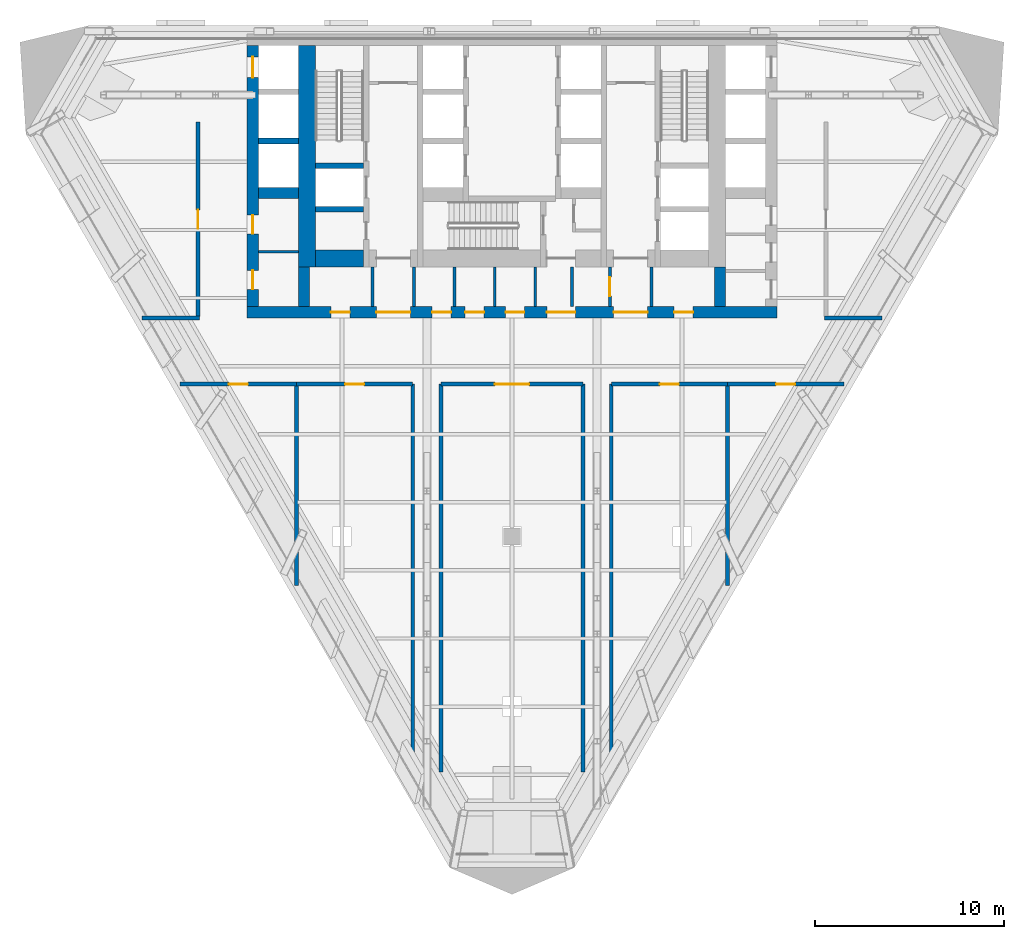
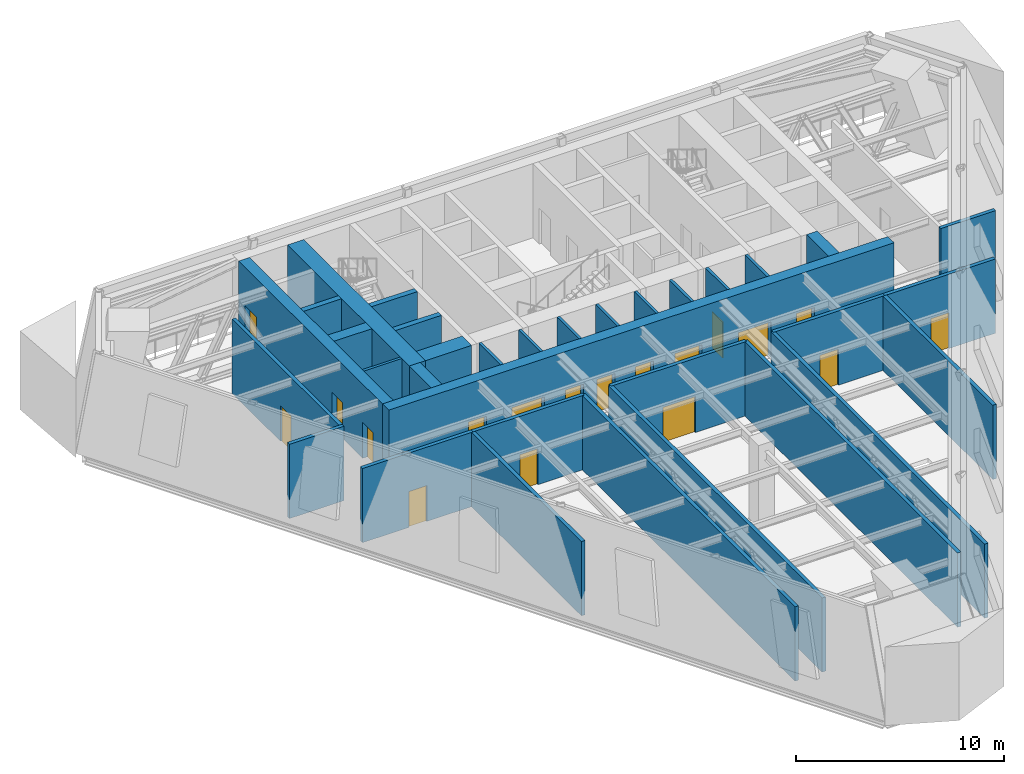
# One storey, part 3 of 9: 33 walls, 18 doors, 18 openings.
"""IFC4 building model written with IfcOpenShell, lengths in metres."""

from ifc_helpers import new_model, si_unit, direction, frame, frame_2d, origin, place, context, subcontext, project, spatial, rectangle, extrude, material, layer, layer_set, type_object, element, fill, save


model = new_model("IFC4")

# Units and contexts
model_context = context("Model", 3, precision=1e-05, world=origin(), true_north=direction((0.0, 1.0)))
body_context = subcontext(model_context, "Body", "Model", "MODEL_VIEW")
ifc_project = project(units=[si_unit("LENGTHUNIT", "METRE"), si_unit("AREAUNIT", "SQUARE_METRE"), si_unit("VOLUMEUNIT", "CUBIC_METRE"), si_unit("PLANEANGLEUNIT", "RADIAN"), si_unit("MASSUNIT", "GRAM", prefix="KILO")], contexts=[model_context])

# Site, building, storey
site_placement = place(None, origin())
site = spatial("IfcSite", under=ifc_project, at=site_placement, CompositionType="ELEMENT")
building_placement = place(site_placement, origin())
building = spatial("IfcBuilding", under=site, at=building_placement, Name="Aloe Facet Convention Tower", CompositionType="ELEMENT")
storey_placement = place(building_placement, frame((0.0, 0.0, 77.0)))
storey = spatial("IfcBuildingStorey", under=building, at=storey_placement, Name="L18", CompositionType="ELEMENT", Elevation=77.0)

# Walls
ifc_material_1 = material(Name="Concrete blockwork partition", Category="masonry")
ifc_layer_1 = layer(ifc_material_1, 0.14990234375)
ifc_layer_set_1 = layer_set([ifc_layer_1], Name="CR-W-PART150")
wall_type_1 = type_object("IfcWallType", Name="CR-W-PART150", PredefinedType="PARTITIONING", material=ifc_layer_set_1)
wall_1_placement = place(storey_placement, frame((66.60009765625, 123.048583984375, 0.0), z_axis=(0.0, 0.0, 1.0), x_axis=(1.0, 0.0, 0.0)))
element("IfcWall", 1, at=wall_1_placement, inside=storey, type_object=wall_type_1, Name="Core partition L18-007", PredefinedType="PARTITIONING", context=body_context, shape_type="SweptSolid", body=[
    extrude(rectangle(XDim=2.099853515625, YDim=0.14990234375, at=frame_2d((1.0498046875, 0.0))), origin(), (0.0, 0.0, 1.0), 4.35009765625),
])
for number, where, z_axis, x_axis, name in (
    (2, (72.625, 122.25, 0.0), (0.0, 0.0, 1.0), (0.0, -1.0, 0.0), "Core partition L18-016"),
    (3, (74.824951171875, 122.25, 0.0), (0.0, 0.0, 1.0), (0.0, -1.0, 0.0), "Core partition L18-017"),
    (4, (76.958251953125, 122.25, 0.0), (0.0, 0.0, 1.0), (0.0, -1.0, 0.0), "Core partition L18-023"),
    (5, (79.091552734375, 122.25, 0.0), (0.0, 0.0, 1.0), (0.0, -1.0, 0.0), "Core partition L18-026"),
    (6, (81.22509765625, 122.25, 0.0), (0.0, 0.0, 1.0), (0.0, -1.0, 0.0), "Core partition L18-027"),
    (7, (83.175048828125, 122.25, 0.0), (0.0, 0.0, 1.0), (0.0, -1.0, 0.0), "Core partition L18-034"),
):
    element("IfcWall", number, at=place(storey_placement, frame(where, z_axis=z_axis, x_axis=x_axis)), inside=storey, type_object=wall_type_1, Name=name, PredefinedType="PARTITIONING", context=body_context, shape_type="SweptSolid", body=[
        extrude(rectangle(XDim=2.10009765625, YDim=0.14990234375, at=frame_2d((1.050048828125, 0.0))), origin(), (0.0, 0.0, 1.0), 4.35009765625),
    ])

# Wall, opening, door
wall_2_placement = place(storey_placement, frame((85.175048828125, 122.25, 0.0), z_axis=(0.0, 0.0, 1.0), x_axis=(0.0, -1.0, 0.0)))
wall_2 = element("IfcWall", 8, at=wall_2_placement, inside=storey, type_object=wall_type_1, Name="Core partition L18-040", PredefinedType="PARTITIONING", context=body_context, shape_type="SweptSolid", body=[
    extrude(rectangle(XDim=2.10009765625, YDim=0.14990234375, at=frame_2d((1.050048828125, 0.0))), origin(), (0.0, 0.0, 1.0), 4.35009765625),
])
opening_1_placement = place(wall_2_placement, frame((0.550048828125, 0.0, 0.0)))
opening_1 = element("IfcOpeningElement", 9, at=opening_1_placement, cuts=wall_2, Name="Opening L18-CD28", PredefinedType="OPENING", context=body_context, shape_type="SweptSolid", body=[
    extrude(rectangle(XDim=1.0, YDim=2.10009765625, at=frame_2d((0.5, 1.050048828125))), frame((0.0, 0.0849609375, 0.0), z_axis=(0.0, -1.0, 0.0), x_axis=(1.0, 0.0, 0.0)), (0.0, 0.0, 1.0), 0.169921875),
])
ifc_material_2 = material(Name="Steel fire-resisting door set FD60", Category="steel")
door_type_1 = type_object("IfcDoorType", Name="CR-D-ROOM-1000-FD60-SRIGHT", OperationType="SINGLE_SWING_RIGHT", PredefinedType="DOOR", material=ifc_material_2)
door_1_placement = place(opening_1_placement, origin())
door_1 = element("IfcDoor", 10, at=door_1_placement, inside=storey, type_object=door_type_1, Name="Core door L18-CD28", OperationType="SINGLE_SWING_RIGHT", OverallHeight=2.10009765625, OverallWidth=1.0, PredefinedType="DOOR", context=body_context, shape_type="SweptSolid", body=[
    extrude(rectangle(XDim=1.0, YDim=2.10009765625, at=frame_2d((0.5, 1.050048828125))), frame((0.0, 0.02490234375, 0.0), z_axis=(0.0, -1.0, 0.0), x_axis=(1.0, 0.0, 0.0)), (0.0, 0.0, 1.0), 0.050048828125),
])
fill(opening_1, door_1)

# Walls
wall_3_placement = place(storey_placement, frame((87.375, 122.25, 0.0), z_axis=(0.0, 0.0, 1.0), x_axis=(0.0, -1.0, 0.0)))
element("IfcWall", 11, at=wall_3_placement, inside=storey, type_object=wall_type_1, Name="Core partition L18-041", PredefinedType="PARTITIONING", context=body_context, shape_type="SweptSolid", body=[
    extrude(rectangle(XDim=2.10009765625, YDim=0.14990234375, at=frame_2d((1.050048828125, 0.0))), origin(), (0.0, 0.0, 1.0), 4.35009765625),
])
ifc_material_3 = material(Name="Concrete C80/95", Category="concrete")
ifc_layer_2 = layer(ifc_material_3, 0.300048828125)
ifc_layer_set_2 = layer_set([ifc_layer_2], Name="CR-W-RC300-C8095")
wall_type_2 = type_object("IfcWallType", Name="CR-W-RC300-C8095", PredefinedType="SOLIDWALL", material=ifc_layer_set_2)
wall_4_placement = place(storey_placement, frame((66.60009765625, 128.89990234375, 0.0), z_axis=(0.0, 0.0, 1.0), x_axis=(1.0, 0.0, 0.0)))
element("IfcWall", 12, at=wall_4_placement, inside=storey, type_object=wall_type_2, Name="Core wall L18-005", PredefinedType="SOLIDWALL", context=body_context, shape_type="SweptSolid", body=[
    extrude(rectangle(XDim=2.099853515625, YDim=0.300048828125, at=frame_2d((1.0498046875, 0.0))), origin(), (0.0, 0.0, 1.0), 4.35009765625),
])
for number, where, z_axis, x_axis, name in (
    (13, (69.60009765625, 127.60009765625, 0.0), (0.0, 0.0, 1.0), (1.0, 0.0, 0.0), "Core wall L18-010"),
    (14, (69.60009765625, 125.300048828125, 0.0), (0.0, 0.0, 1.0), (1.0, 0.0, 0.0), "Core wall L18-011"),
):
    element("IfcWall", number, at=place(storey_placement, frame(where, z_axis=z_axis, x_axis=x_axis)), inside=storey, type_object=wall_type_2, Name=name, PredefinedType="SOLIDWALL", context=body_context, shape_type="SweptSolid", body=[
        extrude(rectangle(XDim=2.5498046875, YDim=0.300048828125, at=frame_2d((1.27490234375, 0.0))), origin(), (0.0, 0.0, 1.0), 4.35009765625),
    ])

# Wall, openings, doors
ifc_material_4 = material(Name="Concrete C80/95", Category="concrete")
ifc_layer_3 = layer(ifc_material_4, 0.60009765625)
ifc_layer_set_3 = layer_set([ifc_layer_3], Name="CR-W-RC600-C8095")
wall_type_3 = type_object("IfcWallType", Name="CR-W-RC600-C8095", PredefinedType="SOLIDWALL", material=ifc_layer_set_3)
wall_5_placement = place(storey_placement, frame((66.300048828125, 133.949951171875, 0.0), z_axis=(0.0, 0.0, 1.0), x_axis=(0.0, -1.0, 0.0)))
wall_5 = element("IfcWall", 15, at=wall_5_placement, inside=storey, type_object=wall_type_3, Name="Core wall L18-002", PredefinedType="SOLIDWALL", context=body_context, shape_type="SweptSolid", body=[
    extrude(rectangle(XDim=13.800048828125, YDim=0.60009765625, at=frame_2d((6.89990234375, 0.0))), origin(), (0.0, 0.0, 1.0), 4.35009765625),
])
opening_2_placement = place(wall_5_placement, frame((0.60009765625, 0.0, 0.0)))
opening_2 = element("IfcOpeningElement", 16, at=opening_2_placement, cuts=wall_5, Name="Opening LD-A7-L18", PredefinedType="OPENING", context=body_context, shape_type="SweptSolid", body=[
    extrude(rectangle(XDim=1.10009765625, YDim=2.10009765625, at=frame_2d((0.550048828125, 1.050048828125))), frame((0.0, 0.31005859375, 0.0), z_axis=(0.0, -1.0, 0.0), x_axis=(1.0, 0.0, 0.0)), (0.0, 0.0, 1.0), 0.6201171875),
])
opening_3_placement = place(wall_5_placement, frame((11.88818359375, 0.0, 0.0)))
opening_3 = element("IfcOpeningElement", 17, at=opening_3_placement, cuts=wall_5, Name="Opening L18-CD34", PredefinedType="OPENING", context=body_context, shape_type="SweptSolid", body=[
    extrude(rectangle(XDim=1.0, YDim=2.10009765625, at=frame_2d((0.5, 1.050048828125))), frame((0.0, 0.31005859375, 0.0), z_axis=(0.0, -1.0, 0.0), x_axis=(1.0, 0.0, 0.0)), (0.0, 0.0, 1.0), 0.6201171875),
])
opening_4_placement = place(wall_5_placement, frame((8.963134765625, 0.0, 0.0)))
opening_4 = element("IfcOpeningElement", 18, at=opening_4_placement, cuts=wall_5, Name="Opening L18-CD35", PredefinedType="OPENING", context=body_context, shape_type="SweptSolid", body=[
    extrude(rectangle(XDim=1.0, YDim=2.10009765625, at=frame_2d((0.5, 1.050048828125))), frame((0.0, 0.31005859375, 0.0), z_axis=(0.0, -1.0, 0.0), x_axis=(1.0, 0.0, 0.0)), (0.0, 0.0, 1.0), 0.6201171875),
])
ifc_material_5 = material(Name="Steel fire-resisting door set FD60", Category="steel")
door_type_2 = type_object("IfcDoorType", Name="CR-D-ROOM-1000-FD60-SLEFT", OperationType="SINGLE_SWING_LEFT", PredefinedType="DOOR", material=ifc_material_5)
door_2_placement = place(opening_3_placement, origin())
door_2 = element("IfcDoor", 19, at=door_2_placement, inside=storey, type_object=door_type_2, Name="Core door L18-CD34", OperationType="SINGLE_SWING_LEFT", OverallHeight=2.10009765625, OverallWidth=1.0, PredefinedType="DOOR", context=body_context, shape_type="SweptSolid", body=[
    extrude(rectangle(XDim=1.0, YDim=2.10009765625, at=frame_2d((0.5, 1.050048828125))), frame((0.0, 0.02490234375, 0.0), z_axis=(0.0, -1.0, 0.0), x_axis=(1.0, 0.0, 0.0)), (0.0, 0.0, 1.0), 0.050048828125),
])
fill(opening_3, door_2)
door_3_placement = place(opening_4_placement, origin())
door_3 = element("IfcDoor", 20, at=door_3_placement, inside=storey, type_object=door_type_2, Name="Core door L18-CD35", OperationType="SINGLE_SWING_LEFT", OverallHeight=2.10009765625, OverallWidth=1.0, PredefinedType="DOOR", context=body_context, shape_type="SweptSolid", body=[
    extrude(rectangle(XDim=1.0, YDim=2.10009765625, at=frame_2d((0.5, 1.050048828125))), frame((0.0, 0.02490234375, 0.0), z_axis=(0.0, -1.0, 0.0), x_axis=(1.0, 0.0, 0.0)), (0.0, 0.0, 1.0), 0.050048828125),
])
fill(opening_4, door_3)
ifc_material_6 = material(Name="Stainless steel sliding landing door", Category="steel")
door_type_3 = type_object("IfcDoorType", Name="CR-LD-1100-FD60-_LEFT", OperationType="SLIDING_TO_LEFT", PredefinedType="DOOR", material=ifc_material_6)
door_4_placement = place(opening_2_placement, origin())
door_4 = element("IfcDoor", 21, at=door_4_placement, inside=storey, type_object=door_type_3, Name="Landing door A7 L18", OperationType="SLIDING_TO_LEFT", OverallHeight=2.10009765625, OverallWidth=1.10009765625, PredefinedType="DOOR", context=body_context, shape_type="SweptSolid", body=[
    extrude(rectangle(XDim=1.10009765625, YDim=2.10009765625, at=frame_2d((0.550048828125, 1.050048828125))), frame((0.0, 0.02490234375, 0.0), z_axis=(0.0, -1.0, 0.0), x_axis=(1.0, 0.0, 0.0)), (0.0, 0.0, 1.0), 0.050048828125),
])
fill(opening_2, door_4)

wall_6_placement = place(storey_placement, frame((66.0, 119.85009765625, 0.0), z_axis=(0.0, 0.0, 1.0), x_axis=(1.0, 0.0, 0.0)))
wall_6 = element("IfcWall", 22, at=wall_6_placement, inside=storey, type_object=wall_type_3, Name="Core wall L18-003", PredefinedType="SOLIDWALL", context=body_context, shape_type="SweptSolid", body=[
    extrude(rectangle(XDim=28.0, YDim=0.60009765625, at=frame_2d((14.0, 0.0))), origin(), (0.0, 0.0, 1.0), 4.35009765625),
])
opening_5_placement = place(wall_6_placement, frame((6.824951171875, 0.0, 0.0)))
opening_5 = element("IfcOpeningElement", 23, at=opening_5_placement, cuts=wall_6, Name="Opening L18-CD17", PredefinedType="OPENING", context=body_context, shape_type="SweptSolid", body=[
    extrude(rectangle(XDim=1.800048828125, YDim=2.10009765625, at=frame_2d((0.89990234375, 1.050048828125))), frame((0.0, 0.31005859375, 0.0), z_axis=(0.0, -1.0, 0.0), x_axis=(1.0, 0.0, 0.0)), (0.0, 0.0, 1.0), 0.6201171875),
])
opening_6_placement = place(wall_6_placement, frame((15.85009765625, 0.0, 0.0)))
opening_6 = element("IfcOpeningElement", 24, at=opening_6_placement, cuts=wall_6, Name="Opening L18-CD18", PredefinedType="OPENING", context=body_context, shape_type="SweptSolid", body=[
    extrude(rectangle(XDim=1.5, YDim=2.10009765625, at=frame_2d((0.75, 1.050048828125))), frame((0.0, 0.31005859375, 0.0), z_axis=(0.0, -1.0, 0.0), x_axis=(1.0, 0.0, 0.0)), (0.0, 0.0, 1.0), 0.6201171875),
])
opening_7_placement = place(wall_6_placement, frame((19.375, 0.0, 0.0)))
opening_7 = element("IfcOpeningElement", 25, at=opening_7_placement, cuts=wall_6, Name="Opening L18-CD19", PredefinedType="OPENING", context=body_context, shape_type="SweptSolid", body=[
    extrude(rectangle(XDim=1.800048828125, YDim=2.10009765625, at=frame_2d((0.89990234375, 1.050048828125))), frame((0.0, 0.31005859375, 0.0), z_axis=(0.0, -1.0, 0.0), x_axis=(1.0, 0.0, 0.0)), (0.0, 0.0, 1.0), 0.6201171875),
])
opening_8_placement = place(wall_6_placement, frame((4.425048828125, 0.0, 0.0)))
opening_8 = element("IfcOpeningElement", 26, at=opening_8_placement, cuts=wall_6, Name="Opening L18-CD24", PredefinedType="OPENING", context=body_context, shape_type="SweptSolid", body=[
    extrude(rectangle(XDim=1.0, YDim=2.10009765625, at=frame_2d((0.5, 1.050048828125))), frame((0.0, 0.31005859375, 0.0), z_axis=(0.0, -1.0, 0.0), x_axis=(1.0, 0.0, 0.0)), (0.0, 0.0, 1.0), 0.6201171875),
])
opening_9_placement = place(wall_6_placement, frame((9.783203125, 0.0, 0.0)))
opening_9 = element("IfcOpeningElement", 27, at=opening_9_placement, cuts=wall_6, Name="Opening L18-CD25", PredefinedType="OPENING", context=body_context, shape_type="SweptSolid", body=[
    extrude(rectangle(XDim=1.0, YDim=2.10009765625, at=frame_2d((0.5, 1.050048828125))), frame((0.0, 0.31005859375, 0.0), z_axis=(0.0, -1.0, 0.0), x_axis=(1.0, 0.0, 0.0)), (0.0, 0.0, 1.0), 0.6201171875),
])
opening_10_placement = place(wall_6_placement, frame((11.52490234375, 0.0, 0.0)))
opening_10 = element("IfcOpeningElement", 28, at=opening_10_placement, cuts=wall_6, Name="Opening L18-CD26", PredefinedType="OPENING", context=body_context, shape_type="SweptSolid", body=[
    extrude(rectangle(XDim=1.0, YDim=2.10009765625, at=frame_2d((0.5, 1.050048828125))), frame((0.0, 0.31005859375, 0.0), z_axis=(0.0, -1.0, 0.0), x_axis=(1.0, 0.0, 0.0)), (0.0, 0.0, 1.0), 0.6201171875),
])
opening_11_placement = place(wall_6_placement, frame((13.658203125, 0.0, 0.0)))
opening_11 = element("IfcOpeningElement", 29, at=opening_11_placement, cuts=wall_6, Name="Opening L18-CD27", PredefinedType="OPENING", context=body_context, shape_type="SweptSolid", body=[
    extrude(rectangle(XDim=1.0, YDim=2.10009765625, at=frame_2d((0.5, 1.050048828125))), frame((0.0, 0.31005859375, 0.0), z_axis=(0.0, -1.0, 0.0), x_axis=(1.0, 0.0, 0.0)), (0.0, 0.0, 1.0), 0.6201171875),
])
opening_12_placement = place(wall_6_placement, frame((22.574951171875, 0.0, 0.0)))
opening_12 = element("IfcOpeningElement", 30, at=opening_12_placement, cuts=wall_6, Name="Opening L18-CD29", PredefinedType="OPENING", context=body_context, shape_type="SweptSolid", body=[
    extrude(rectangle(XDim=1.0, YDim=2.10009765625, at=frame_2d((0.5, 1.050048828125))), frame((0.0, 0.31005859375, 0.0), z_axis=(0.0, -1.0, 0.0), x_axis=(1.0, 0.0, 0.0)), (0.0, 0.0, 1.0), 0.6201171875),
])
ifc_material_7 = material(Name="Steel fire-resisting door set FD60", Category="steel")
door_type_4 = type_object("IfcDoorType", Name="CR-D-EXIT-1500-FD60-DD", OperationType="DOUBLE_DOOR_DOUBLE_SWING", PredefinedType="DOOR", material=ifc_material_7)
door_5_placement = place(opening_6_placement, origin())
door_5 = element("IfcDoor", 31, at=door_5_placement, inside=storey, type_object=door_type_4, Name="Core door L18-CD18", OperationType="DOUBLE_DOOR_DOUBLE_SWING", OverallHeight=2.10009765625, OverallWidth=1.5, PredefinedType="DOOR", context=body_context, shape_type="SweptSolid", body=[
    extrude(rectangle(XDim=1.5, YDim=2.10009765625, at=frame_2d((0.75, 1.050048828125))), frame((0.0, 0.02490234375, 0.0), z_axis=(0.0, -1.0, 0.0), x_axis=(1.0, 0.0, 0.0)), (0.0, 0.0, 1.0), 0.050048828125),
])
fill(opening_6, door_5)
ifc_material_8 = material(Name="Steel fire-resisting door set FD60", Category="steel")
door_type_5 = type_object("IfcDoorType", Name="CR-D-EXIT-1800-FD60-DD", OperationType="DOUBLE_DOOR_DOUBLE_SWING", PredefinedType="DOOR", material=ifc_material_8)
door_6_placement = place(opening_5_placement, origin())
door_6 = element("IfcDoor", 32, at=door_6_placement, inside=storey, type_object=door_type_5, Name="Core door L18-CD17", OperationType="DOUBLE_DOOR_DOUBLE_SWING", OverallHeight=2.10009765625, OverallWidth=1.800048828125, PredefinedType="DOOR", context=body_context, shape_type="SweptSolid", body=[
    extrude(rectangle(XDim=1.800048828125, YDim=2.10009765625, at=frame_2d((0.89990234375, 1.050048828125))), frame((0.0, 0.02490234375, 0.0), z_axis=(0.0, -1.0, 0.0), x_axis=(1.0, 0.0, 0.0)), (0.0, 0.0, 1.0), 0.050048828125),
])
fill(opening_5, door_6)
door_7_placement = place(opening_7_placement, origin())
door_7 = element("IfcDoor", 33, at=door_7_placement, inside=storey, type_object=door_type_5, Name="Core door L18-CD19", OperationType="DOUBLE_DOOR_DOUBLE_SWING", OverallHeight=2.10009765625, OverallWidth=1.800048828125, PredefinedType="DOOR", context=body_context, shape_type="SweptSolid", body=[
    extrude(rectangle(XDim=1.800048828125, YDim=2.10009765625, at=frame_2d((0.89990234375, 1.050048828125))), frame((0.0, 0.02490234375, 0.0), z_axis=(0.0, -1.0, 0.0), x_axis=(1.0, 0.0, 0.0)), (0.0, 0.0, 1.0), 0.050048828125),
])
fill(opening_7, door_7)
door_8_placement = place(opening_8_placement, origin())
door_8 = element("IfcDoor", 34, at=door_8_placement, inside=storey, type_object=door_type_1, Name="Core door L18-CD24", OperationType="SINGLE_SWING_RIGHT", OverallHeight=2.10009765625, OverallWidth=1.0, PredefinedType="DOOR", context=body_context, shape_type="SweptSolid", body=[
    extrude(rectangle(XDim=1.0, YDim=2.10009765625, at=frame_2d((0.5, 1.050048828125))), frame((0.0, 0.02490234375, 0.0), z_axis=(0.0, -1.0, 0.0), x_axis=(1.0, 0.0, 0.0)), (0.0, 0.0, 1.0), 0.050048828125),
])
fill(opening_8, door_8)
door_9_placement = place(opening_9_placement, origin())
door_9 = element("IfcDoor", 35, at=door_9_placement, inside=storey, type_object=door_type_1, Name="Core door L18-CD25", OperationType="SINGLE_SWING_RIGHT", OverallHeight=2.10009765625, OverallWidth=1.0, PredefinedType="DOOR", context=body_context, shape_type="SweptSolid", body=[
    extrude(rectangle(XDim=1.0, YDim=2.10009765625, at=frame_2d((0.5, 1.050048828125))), frame((0.0, 0.02490234375, 0.0), z_axis=(0.0, -1.0, 0.0), x_axis=(1.0, 0.0, 0.0)), (0.0, 0.0, 1.0), 0.050048828125),
])
fill(opening_9, door_9)
door_10_placement = place(opening_10_placement, origin())
door_10 = element("IfcDoor", 36, at=door_10_placement, inside=storey, type_object=door_type_1, Name="Core door L18-CD26", OperationType="SINGLE_SWING_RIGHT", OverallHeight=2.10009765625, OverallWidth=1.0, PredefinedType="DOOR", context=body_context, shape_type="SweptSolid", body=[
    extrude(rectangle(XDim=1.0, YDim=2.10009765625, at=frame_2d((0.5, 1.050048828125))), frame((0.0, 0.02490234375, 0.0), z_axis=(0.0, -1.0, 0.0), x_axis=(1.0, 0.0, 0.0)), (0.0, 0.0, 1.0), 0.050048828125),
])
fill(opening_10, door_10)
door_11_placement = place(opening_11_placement, origin())
door_11 = element("IfcDoor", 37, at=door_11_placement, inside=storey, type_object=door_type_1, Name="Core door L18-CD27", OperationType="SINGLE_SWING_RIGHT", OverallHeight=2.10009765625, OverallWidth=1.0, PredefinedType="DOOR", context=body_context, shape_type="SweptSolid", body=[
    extrude(rectangle(XDim=1.0, YDim=2.10009765625, at=frame_2d((0.5, 1.050048828125))), frame((0.0, 0.02490234375, 0.0), z_axis=(0.0, -1.0, 0.0), x_axis=(1.0, 0.0, 0.0)), (0.0, 0.0, 1.0), 0.050048828125),
])
fill(opening_11, door_11)
door_12_placement = place(opening_12_placement, origin())
door_12 = element("IfcDoor", 38, at=door_12_placement, inside=storey, type_object=door_type_1, Name="Core door L18-CD29", OperationType="SINGLE_SWING_RIGHT", OverallHeight=2.10009765625, OverallWidth=1.0, PredefinedType="DOOR", context=body_context, shape_type="SweptSolid", body=[
    extrude(rectangle(XDim=1.0, YDim=2.10009765625, at=frame_2d((0.5, 1.050048828125))), frame((0.0, 0.02490234375, 0.0), z_axis=(0.0, -1.0, 0.0), x_axis=(1.0, 0.0, 0.0)), (0.0, 0.0, 1.0), 0.050048828125),
])
fill(opening_12, door_12)

# Walls
wall_7_placement = place(storey_placement, frame((66.60009765625, 126.14990234375, 0.0), z_axis=(0.0, 0.0, 1.0), x_axis=(1.0, 0.0, 0.0)))
element("IfcWall", 39, at=wall_7_placement, inside=storey, type_object=wall_type_3, Name="Core wall L18-006", PredefinedType="SOLIDWALL", context=body_context, shape_type="SweptSolid", body=[
    extrude(rectangle(XDim=2.099853515625, YDim=0.60009765625, at=frame_2d((1.0498046875, 0.0))), origin(), (0.0, 0.0, 1.0), 4.35009765625),
])
for number, where, z_axis, x_axis, name in (
    (40, (69.0, 122.25, 0.0), (0.0, 0.0, 1.0), (0.0, -1.0, 0.0), "Core wall L18-009"),
    (41, (91.0, 122.25, 0.0), (0.0, 0.0, 1.0), (0.0, -1.0, 0.0), "Core wall L18-047"),
):
    element("IfcWall", number, at=place(storey_placement, frame(where, z_axis=z_axis, x_axis=x_axis)), inside=storey, type_object=wall_type_3, Name=name, PredefinedType="SOLIDWALL", context=body_context, shape_type="SweptSolid", body=[
        extrude(rectangle(XDim=2.10009765625, YDim=0.60009765625, at=frame_2d((1.050048828125, 0.0))), origin(), (0.0, 0.0, 1.0), 4.35009765625),
    ])
ifc_material_9 = material(Name="Concrete C80/95", Category="concrete")
ifc_layer_4 = layer(ifc_material_9, 0.89990234375)
ifc_layer_set_4 = layer_set([ifc_layer_4], Name="CR-W-RC900-C8095")
wall_type_4 = type_object("IfcWallType", Name="CR-W-RC900-C8095", PredefinedType="SOLIDWALL", material=ifc_layer_set_4)
wall_8_placement = place(storey_placement, frame((69.14990234375, 133.949951171875, 0.0), z_axis=(0.0, 0.0, 1.0), x_axis=(0.0, -1.0, 0.0)))
element("IfcWall", 42, at=wall_8_placement, inside=storey, type_object=wall_type_4, Name="Core wall L18-008", PredefinedType="SOLIDWALL", context=body_context, shape_type="SweptSolid", body=[
    extrude(rectangle(XDim=11.699951171875, YDim=0.89990234375, at=frame_2d((5.85009765625, 0.0))), origin(), (0.0, 0.0, 1.0), 4.35009765625),
])
wall_9_placement = place(storey_placement, frame((69.60009765625, 122.699951171875, 0.0), z_axis=(0.0, 0.0, 1.0), x_axis=(1.0, 0.0, 0.0)))
element("IfcWall", 43, at=wall_9_placement, inside=storey, type_object=wall_type_4, Name="Core wall L18-012", PredefinedType="SOLIDWALL", context=body_context, shape_type="SweptSolid", body=[
    extrude(rectangle(XDim=2.5498046875, YDim=0.89990234375, at=frame_2d((1.27490234375, 0.0))), origin(), (0.0, 0.0, 1.0), 4.35009765625),
])
ifc_material_10 = material(Name="Masonry blockwork wall, plastered", Category="masonry")
ifc_layer_5 = layer(ifc_material_10, 0.199951171875)
ifc_layer_set_5 = layer_set([ifc_layer_5], Name="IN-POD-W-PLANT")
wall_type_5 = type_object("IfcWallType", Name="IN-POD-W-PLANT", PredefinedType="PARTITIONING", material=ifc_layer_set_5)
for number, where, z_axis, x_axis, name in (
    (44, (68.605224609375, 105.406982421875, 0.0), (0.0, 0.0, 1.0), (0.0, 1.0, 0.0), "Partition L18-W001"),
    (45, (91.394775390625, 105.406982421875, 0.0), (0.0, 0.0, 1.0), (0.0, 1.0, 0.0), "Partition L18-W002"),
):
    element("IfcWall", number, at=place(storey_placement, frame(where, z_axis=z_axis, x_axis=x_axis)), inside=storey, type_object=wall_type_5, Name=name, PredefinedType="PARTITIONING", context=body_context, shape_type="SweptSolid", body=[
        extrude(rectangle(XDim=10.55810546875, YDim=0.199951171875, at=frame_2d((5.279052734375, 0.0))), origin(), (0.0, 0.0, 1.0), 4.35009765625),
    ])

# Wall, opening, door
wall_10_placement = place(storey_placement, frame((62.46044921875, 116.050048828125, 0.0), z_axis=(0.0, 0.0, 1.0), x_axis=(1.0, 0.0, 0.0)))
wall_10 = element("IfcWall", 46, at=wall_10_placement, inside=storey, type_object=wall_type_5, Name="Partition L18-W003", PredefinedType="PARTITIONING", context=body_context, shape_type="SweptSolid", body=[
    extrude(rectangle(XDim=6.144775390625, YDim=0.199951171875, at=frame_2d((3.072265625, 0.0))), origin(), (0.0, 0.0, 1.0), 4.35009765625),
])
opening_13_placement = place(wall_10_placement, frame((2.572509765625, 0.0, 0.0)))
opening_13 = element("IfcOpeningElement", 47, at=opening_13_placement, cuts=wall_10, Name="Opening L18-003", PredefinedType="OPENING", context=body_context, shape_type="SweptSolid", body=[
    extrude(rectangle(XDim=1.0, YDim=2.10009765625, at=frame_2d((0.5, 1.050048828125))), frame((0.0, 0.10986328125, 0.0), z_axis=(0.0, -1.0, 0.0), x_axis=(1.0, 0.0, 0.0)), (0.0, 0.0, 1.0), 0.219970703125),
])
ifc_material_11 = material(Name="Steel flush door, galvanised", Category="steel")
door_type_6 = type_object("IfcDoorType", Name="IN-POD-D-PLANT", OperationType="SINGLE_SWING_LEFT", PredefinedType="DOOR", material=ifc_material_11)
door_13_placement = place(opening_13_placement, origin())
door_13 = element("IfcDoor", 48, at=door_13_placement, inside=storey, type_object=door_type_6, Name="Door L18-003", OperationType="SINGLE_SWING_LEFT", OverallHeight=2.10009765625, OverallWidth=1.0, PredefinedType="DOOR", context=body_context, shape_type="SweptSolid", body=[
    extrude(rectangle(XDim=1.0, YDim=2.10009765625, at=frame_2d((0.5, 1.050048828125))), frame((0.0, 0.02490234375, 0.0), z_axis=(0.0, -1.0, 0.0), x_axis=(1.0, 0.0, 0.0)), (0.0, 0.0, 1.0), 0.050048828125),
])
fill(opening_13, door_13)

wall_11_placement = place(storey_placement, frame((68.605224609375, 116.050048828125, 0.0), z_axis=(0.0, 0.0, 1.0), x_axis=(1.0, 0.0, 0.0)))
wall_11 = element("IfcWall", 49, at=wall_11_placement, inside=storey, type_object=wall_type_5, Name="Partition L18-W004", PredefinedType="PARTITIONING", context=body_context, shape_type="SweptSolid", body=[
    extrude(rectangle(XDim=6.144775390625, YDim=0.199951171875, at=frame_2d((3.072265625, 0.0))), origin(), (0.0, 0.0, 1.0), 4.35009765625),
])
opening_14_placement = place(wall_11_placement, frame((2.572509765625, 0.0, 0.0)))
opening_14 = element("IfcOpeningElement", 50, at=opening_14_placement, cuts=wall_11, Name="Opening L18-004", PredefinedType="OPENING", context=body_context, shape_type="SweptSolid", body=[
    extrude(rectangle(XDim=1.0, YDim=2.10009765625, at=frame_2d((0.5, 1.050048828125))), frame((0.0, 0.10986328125, 0.0), z_axis=(0.0, -1.0, 0.0), x_axis=(1.0, 0.0, 0.0)), (0.0, 0.0, 1.0), 0.219970703125),
])
door_14_placement = place(opening_14_placement, origin())
door_14 = element("IfcDoor", 51, at=door_14_placement, inside=storey, type_object=door_type_6, Name="Door L18-004", OperationType="SINGLE_SWING_LEFT", OverallHeight=2.10009765625, OverallWidth=1.0, PredefinedType="DOOR", context=body_context, shape_type="SweptSolid", body=[
    extrude(rectangle(XDim=1.0, YDim=2.10009765625, at=frame_2d((0.5, 1.050048828125))), frame((0.0, 0.02490234375, 0.0), z_axis=(0.0, -1.0, 0.0), x_axis=(1.0, 0.0, 0.0)), (0.0, 0.0, 1.0), 0.050048828125),
])
fill(opening_14, door_14)

wall_12_placement = place(storey_placement, frame((76.25, 116.050048828125, 0.0), z_axis=(0.0, 0.0, 1.0), x_axis=(1.0, 0.0, 0.0)))
wall_12 = element("IfcWall", 52, at=wall_12_placement, inside=storey, type_object=wall_type_5, Name="Partition L18-W005", PredefinedType="PARTITIONING", context=body_context, shape_type="SweptSolid", body=[
    extrude(rectangle(XDim=7.5, YDim=0.199951171875, at=frame_2d((3.75, 0.0))), origin(), (0.0, 0.0, 1.0), 4.35009765625),
])
opening_15_placement = place(wall_12_placement, frame((2.85009765625, 0.0, 0.0)))
opening_15 = element("IfcOpeningElement", 53, at=opening_15_placement, cuts=wall_12, Name="Opening L18-005", PredefinedType="OPENING", context=body_context, shape_type="SweptSolid", body=[
    extrude(rectangle(XDim=1.800048828125, YDim=2.10009765625, at=frame_2d((0.89990234375, 1.050048828125))), frame((0.0, 0.10986328125, 0.0), z_axis=(0.0, -1.0, 0.0), x_axis=(1.0, 0.0, 0.0)), (0.0, 0.0, 1.0), 0.219970703125),
])
ifc_material_12 = material(Name="Steel flush door pair, galvanised", Category="steel")
door_type_7 = type_object("IfcDoorType", Name="IN-POD-D-PLANTPAIR", OperationType="DOUBLE_DOOR_SINGLE_SWING", PredefinedType="DOOR", material=ifc_material_12)
door_15_placement = place(opening_15_placement, origin())
door_15 = element("IfcDoor", 54, at=door_15_placement, inside=storey, type_object=door_type_7, Name="Door L18-005", OperationType="SINGLE_SWING_LEFT", OverallHeight=2.10009765625, OverallWidth=1.800048828125, PredefinedType="DOOR", context=body_context, shape_type="SweptSolid", body=[
    extrude(rectangle(XDim=1.800048828125, YDim=2.10009765625, at=frame_2d((0.89990234375, 1.050048828125))), frame((0.0, 0.02490234375, 0.0), z_axis=(0.0, -1.0, 0.0), x_axis=(1.0, 0.0, 0.0)), (0.0, 0.0, 1.0), 0.050048828125),
])
fill(opening_15, door_15)

wall_13_placement = place(storey_placement, frame((85.25, 116.050048828125, 0.0), z_axis=(0.0, 0.0, 1.0), x_axis=(1.0, 0.0, 0.0)))
wall_13 = element("IfcWall", 55, at=wall_13_placement, inside=storey, type_object=wall_type_5, Name="Partition L18-W006", PredefinedType="PARTITIONING", context=body_context, shape_type="SweptSolid", body=[
    extrude(rectangle(XDim=6.144775390625, YDim=0.199951171875, at=frame_2d((3.072265625, 0.0))), origin(), (0.0, 0.0, 1.0), 4.35009765625),
])
opening_16_placement = place(wall_13_placement, frame((2.572509765625, 0.0, 0.0)))
opening_16 = element("IfcOpeningElement", 56, at=opening_16_placement, cuts=wall_13, Name="Opening L18-006", PredefinedType="OPENING", context=body_context, shape_type="SweptSolid", body=[
    extrude(rectangle(XDim=1.0, YDim=2.10009765625, at=frame_2d((0.5, 1.050048828125))), frame((0.0, 0.10986328125, 0.0), z_axis=(0.0, -1.0, 0.0), x_axis=(1.0, 0.0, 0.0)), (0.0, 0.0, 1.0), 0.219970703125),
])
door_16_placement = place(opening_16_placement, origin())
door_16 = element("IfcDoor", 57, at=door_16_placement, inside=storey, type_object=door_type_6, Name="Door L18-006", OperationType="SINGLE_SWING_LEFT", OverallHeight=2.10009765625, OverallWidth=1.0, PredefinedType="DOOR", context=body_context, shape_type="SweptSolid", body=[
    extrude(rectangle(XDim=1.0, YDim=2.10009765625, at=frame_2d((0.5, 1.050048828125))), frame((0.0, 0.02490234375, 0.0), z_axis=(0.0, -1.0, 0.0), x_axis=(1.0, 0.0, 0.0)), (0.0, 0.0, 1.0), 0.050048828125),
])
fill(opening_16, door_16)

wall_14_placement = place(storey_placement, frame((91.394775390625, 116.050048828125, 0.0), z_axis=(0.0, 0.0, 1.0), x_axis=(1.0, 0.0, 0.0)))
wall_14 = element("IfcWall", 58, at=wall_14_placement, inside=storey, type_object=wall_type_5, Name="Partition L18-W007", PredefinedType="PARTITIONING", context=body_context, shape_type="SweptSolid", body=[
    extrude(rectangle(XDim=6.144775390625, YDim=0.199951171875, at=frame_2d((3.072265625, 0.0))), origin(), (0.0, 0.0, 1.0), 4.35009765625),
])
opening_17_placement = place(wall_14_placement, frame((2.572509765625, 0.0, 0.0)))
opening_17 = element("IfcOpeningElement", 59, at=opening_17_placement, cuts=wall_14, Name="Opening L18-007", PredefinedType="OPENING", context=body_context, shape_type="SweptSolid", body=[
    extrude(rectangle(XDim=1.0, YDim=2.10009765625, at=frame_2d((0.5, 1.050048828125))), frame((0.0, 0.10986328125, 0.0), z_axis=(0.0, -1.0, 0.0), x_axis=(1.0, 0.0, 0.0)), (0.0, 0.0, 1.0), 0.219970703125),
])
door_17_placement = place(opening_17_placement, origin())
door_17 = element("IfcDoor", 60, at=door_17_placement, inside=storey, type_object=door_type_6, Name="Door L18-007", OperationType="SINGLE_SWING_LEFT", OverallHeight=2.10009765625, OverallWidth=1.0, PredefinedType="DOOR", context=body_context, shape_type="SweptSolid", body=[
    extrude(rectangle(XDim=1.0, YDim=2.10009765625, at=frame_2d((0.5, 1.050048828125))), frame((0.0, 0.02490234375, 0.0), z_axis=(0.0, -1.0, 0.0), x_axis=(1.0, 0.0, 0.0)), (0.0, 0.0, 1.0), 0.050048828125),
])
fill(opening_17, door_17)

# Wall
wall_15_placement = place(storey_placement, frame((60.439697265625, 119.550048828125, 0.0), z_axis=(0.0, 0.0, 1.0), x_axis=(1.0, 0.0, 0.0)))
element("IfcWall", 61, at=wall_15_placement, inside=storey, type_object=wall_type_5, Name="Partition L18-W008", PredefinedType="PARTITIONING", context=body_context, shape_type="SweptSolid", body=[
    extrude(rectangle(XDim=3.035400390625, YDim=0.199951171875, at=frame_2d((1.517578125, 0.0))), origin(), (0.0, 0.0, 1.0), 4.35009765625),
])

# Wall, opening, door
wall_16_placement = place(storey_placement, frame((63.39990234375, 119.635009765625, 0.0), z_axis=(0.0, 0.0, 1.0), x_axis=(0.0, 1.0, 0.0)))
wall_16 = element("IfcWall", 62, at=wall_16_placement, inside=storey, type_object=wall_type_5, Name="Partition L18-W009", PredefinedType="PARTITIONING", context=body_context, shape_type="SweptSolid", body=[
    extrude(rectangle(XDim=10.264892578125, YDim=0.199951171875, at=frame_2d((5.13232421875, 0.0))), origin(), (0.0, 0.0, 1.0), 4.35009765625),
])
opening_18_placement = place(wall_16_placement, frame((4.632568359375, 0.0, 0.0)))
opening_18 = element("IfcOpeningElement", 63, at=opening_18_placement, cuts=wall_16, Name="Opening L18-001", PredefinedType="OPENING", context=body_context, shape_type="SweptSolid", body=[
    extrude(rectangle(XDim=1.0, YDim=2.10009765625, at=frame_2d((0.5, 1.050048828125))), frame((0.0, 0.10986328125, 0.0), z_axis=(0.0, -1.0, 0.0), x_axis=(1.0, 0.0, 0.0)), (0.0, 0.0, 1.0), 0.219970703125),
])
door_18_placement = place(opening_18_placement, origin())
door_18 = element("IfcDoor", 64, at=door_18_placement, inside=storey, type_object=door_type_6, Name="Door L18-001", OperationType="SINGLE_SWING_LEFT", OverallHeight=2.10009765625, OverallWidth=1.0, PredefinedType="DOOR", context=body_context, shape_type="SweptSolid", body=[
    extrude(rectangle(XDim=1.0, YDim=2.10009765625, at=frame_2d((0.5, 1.050048828125))), frame((0.0, 0.02490234375, 0.0), z_axis=(0.0, -1.0, 0.0), x_axis=(1.0, 0.0, 0.0)), (0.0, 0.0, 1.0), 0.050048828125),
])
fill(opening_18, door_18)

# Walls
wall_17_placement = place(storey_placement, frame((96.52490234375, 119.550048828125, 0.0), z_axis=(0.0, 0.0, 1.0), x_axis=(1.0, 0.0, 0.0)))
element("IfcWall", 65, at=wall_17_placement, inside=storey, type_object=wall_type_5, Name="Partition L18-W010", PredefinedType="PARTITIONING", context=body_context, shape_type="SweptSolid", body=[
    extrude(rectangle(XDim=3.035400390625, YDim=0.199951171875, at=frame_2d((1.517578125, 0.0))), origin(), (0.0, 0.0, 1.0), 4.35009765625),
])
for number, where, z_axis, x_axis, name in (
    (66, (74.75, 95.550048828125, 0.0), (0.0, 0.0, 1.0), (0.0, 1.0, 0.0), "Partition L18-X01"),
    (67, (76.25, 95.550048828125, 0.0), (0.0, 0.0, 1.0), (0.0, 1.0, 0.0), "Partition L18-X02"),
    (68, (83.75, 95.550048828125, 0.0), (0.0, 0.0, 1.0), (0.0, 1.0, 0.0), "Partition L18-X03"),
    (69, (85.25, 95.550048828125, 0.0), (0.0, 0.0, 1.0), (0.0, 1.0, 0.0), "Partition L18-X04"),
):
    element("IfcWall", number, at=place(storey_placement, frame(where, z_axis=z_axis, x_axis=x_axis)), inside=storey, type_object=wall_type_5, Name=name, PredefinedType="PARTITIONING", context=body_context, shape_type="SweptSolid", body=[
        extrude(rectangle(XDim=20.5, YDim=0.199951171875, at=frame_2d((10.25, 0.0))), origin(), (0.0, 0.0, 1.0), 4.35009765625),
    ])

save(model, "model.ifc")
